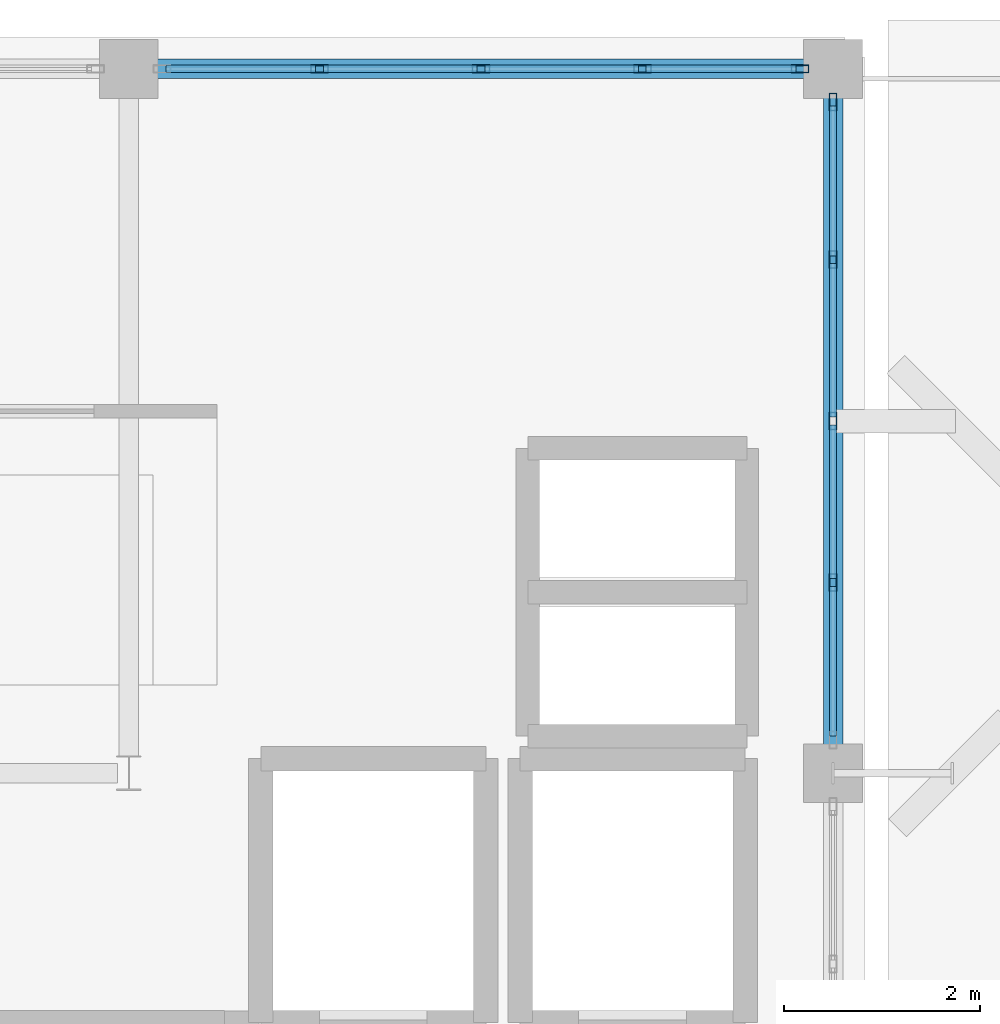
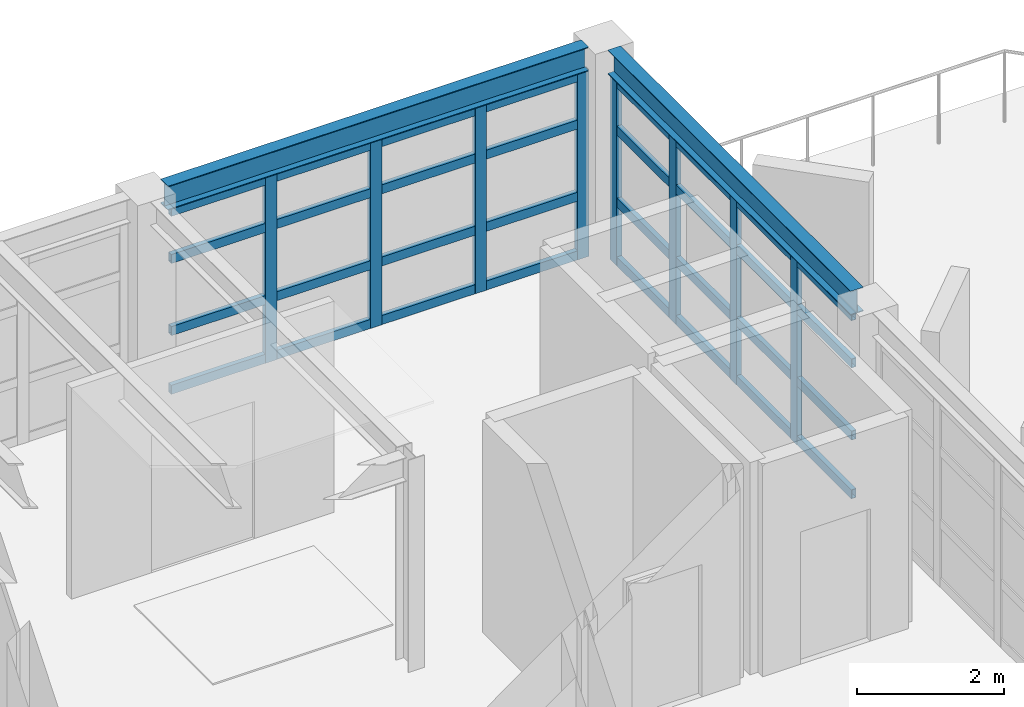
# One storey, part 6 of 13: 40 members, 2 beams, 2 elements without a shape of their own.
"""IFC4 building model written with IfcOpenShell, lengths in metres."""

from ifc_helpers import new_model, si_unit, direction, frame, origin, origin_2d, place, context, subcontext, project, spatial, hollow_rectangle, i_section, extrude, material, layer, layer_set, material_profile, profile_set, type_object, element, aggregate, save


model = new_model("IFC4")

# Units and contexts
model_context = context("Model", 3, precision=1e-05, world=origin(), true_north=direction((0.0, 1.0)))
body_context = subcontext(model_context, "Body", "Model", "MODEL_VIEW")
ifc_project = project(units=[si_unit("LENGTHUNIT", "METRE"), si_unit("AREAUNIT", "SQUARE_METRE"), si_unit("VOLUMEUNIT", "CUBIC_METRE"), si_unit("PLANEANGLEUNIT", "RADIAN"), si_unit("MASSUNIT", "GRAM", prefix="KILO")], contexts=[model_context])

# Site, building, storey
site_placement = place(None, origin())
site = spatial("IfcSite", under=ifc_project, at=site_placement, CompositionType="ELEMENT")
building_placement = place(site_placement, origin())
building = spatial("IfcBuilding", under=site, at=building_placement, Name="Kandorven Conservatory and Botanical Research Centre", CompositionType="ELEMENT")
storey_placement = place(building_placement, frame((0.0, 0.0, 59.39990234375)))
storey = spatial("IfcBuildingStorey", under=building, at=storey_placement, Name="L15", CompositionType="ELEMENT", Elevation=59.39990234375)

# Beams
ifc_material_1 = material(Name="Steel S355 (IS 2062 E350)", Category="steel")
ifc_material_profile_1 = material_profile(ifc_material_1, i_section(OverallWidth=0.199951171875, OverallDepth=0.39990234375, WebThickness=0.008544921875, FlangeThickness=0.012939453125, at=origin_2d()))
ifc_profile_set_1 = profile_set([ifc_material_profile_1], Name="Steel S355 (IS 2062 E350)")
beam_type = type_object("IfcBeamType", Name="Beam_FG-03", PredefinedType="USERDEFINED", material=ifc_profile_set_1)
for number, where, z_axis, x_axis, name in (
    (1, (20.68994140625, 27.60009765625, 3.330078125), (1.0, 0.0, 0.0), (0.0, 1.0, 0.0), "Primary girder FG-03 TWR L15"),
    (2, (27.60009765625, 20.68994140625, 3.330078125), (0.0, 1.0, 0.0), (-1.0, 0.0, 0.0), "Primary girder FG-03 TWR L15"),
):
    element("IfcBeam", number, at=place(storey_placement, frame(where, z_axis=z_axis, x_axis=x_axis)), inside=storey, type_object=beam_type, Name=name, ObjectType="GIRDER", PredefinedType="USERDEFINED", context=body_context, shape_type="SweptSolid", body=[
        extrude(i_section(OverallWidth=0.199951171875, OverallDepth=0.39990234375, WebThickness=0.008544921875, FlangeThickness=0.012939453125, at=origin_2d()), origin(), (0.0, 0.0, 1.0), 6.6201171875),
    ])

# Curtain wall, members
ifc_material_2 = material(Name="Bronze anodised thermally broken aluminium", Category="aluminium")
ifc_layer = layer(ifc_material_2, 0.179931640625)
ifc_layer_set = layer_set([ifc_layer], Name="Bronze anodised thermally broken aluminium")
curtain_wall_type = type_object("IfcCurtainWallType", Name="CW_Unitised", PredefinedType="USERDEFINED", material=ifc_layer_set)
curtain_wall_1_placement = place(storey_placement, origin())
curtain_wall_1 = element("IfcCurtainWall", 3, at=curtain_wall_1_placement, inside=storey, type_object=curtain_wall_type, Name="Tower laboratory curtain wall CW-TWR-N-L15-3", ObjectType="UNITISED GLAZING", PredefinedType="USERDEFINED")
ifc_material_3 = material(Name="Bronze anodised thermally broken aluminium", Category="aluminium")
ifc_material_profile_2 = material_profile(ifc_material_3, hollow_rectangle(XDim=0.080078125, YDim=0.179931640625, WallThickness=0.006103515625, at=origin_2d()))
ifc_profile_set_2 = profile_set([ifc_material_profile_2], Name="Bronze anodised thermally broken aluminium")
member_type_1 = type_object("IfcMemberType", Name="CW_Mullion", PredefinedType="MULLION", material=ifc_profile_set_2)
member_1_placement = place(storey_placement, frame((22.35009765625, 27.60009765625, 0.0), z_axis=(0.0, 0.0, 1.0), x_axis=(0.0, 1.0, 0.0)))
member_1 = element("IfcMember", 4, at=member_1_placement, type_object=member_type_1, Name="CW-01 mullion 2", PredefinedType="MULLION", context=body_context, shape_type="SweptSolid", body=[
    extrude(hollow_rectangle(XDim=0.080078125, YDim=0.179931640625, WallThickness=0.006103515625, at=origin_2d()), origin(), (0.0, 0.0, 1.0), 3.110107421875),
])
member_2_placement = place(storey_placement, frame((24.0, 27.60009765625, 0.0), z_axis=(0.0, 0.0, 1.0), x_axis=(0.0, 1.0, 0.0)))
member_2 = element("IfcMember", 5, at=member_2_placement, type_object=member_type_1, Name="CW-01 mullion 3", PredefinedType="MULLION", context=body_context, shape_type="SweptSolid", body=[
    extrude(hollow_rectangle(XDim=0.080078125, YDim=0.179931640625, WallThickness=0.006103515625, at=origin_2d()), origin(), (0.0, 0.0, 1.0), 3.110107421875),
])
member_3_placement = place(storey_placement, frame((25.64990234375, 27.60009765625, 0.0), z_axis=(0.0, 0.0, 1.0), x_axis=(0.0, 1.0, 0.0)))
member_3 = element("IfcMember", 6, at=member_3_placement, type_object=member_type_1, Name="CW-01 mullion 4", PredefinedType="MULLION", context=body_context, shape_type="SweptSolid", body=[
    extrude(hollow_rectangle(XDim=0.080078125, YDim=0.179931640625, WallThickness=0.006103515625, at=origin_2d()), origin(), (0.0, 0.0, 1.0), 3.110107421875),
])
member_4_placement = place(storey_placement, frame((27.260009765625, 27.60009765625, 0.0), z_axis=(0.0, 0.0, 1.0), x_axis=(0.0, 1.0, 0.0)))
member_4 = element("IfcMember", 7, at=member_4_placement, type_object=member_type_1, Name="CW-01 mullion 5", PredefinedType="MULLION", context=body_context, shape_type="SweptSolid", body=[
    extrude(hollow_rectangle(XDim=0.080078125, YDim=0.179931640625, WallThickness=0.006103515625, at=origin_2d()), origin(), (0.0, 0.0, 1.0), 3.110107421875),
])

curtain_wall_2_placement = place(storey_placement, origin())
curtain_wall_2 = element("IfcCurtainWall", 8, at=curtain_wall_2_placement, inside=storey, type_object=curtain_wall_type, Name="Tower laboratory curtain wall CW-TWR-E-L15-3", ObjectType="UNITISED GLAZING", PredefinedType="USERDEFINED")
member_5_placement = place(storey_placement, frame((27.60009765625, 22.35009765625, 0.0), z_axis=(0.0, 0.0, 1.0), x_axis=(-1.0, 0.0, 0.0)))
member_5 = element("IfcMember", 9, at=member_5_placement, type_object=member_type_1, Name="CW-01 mullion 2", PredefinedType="MULLION", context=body_context, shape_type="SweptSolid", body=[
    extrude(hollow_rectangle(XDim=0.080078125, YDim=0.179931640625, WallThickness=0.006103515625, at=origin_2d()), origin(), (0.0, 0.0, 1.0), 3.110107421875),
])
member_6_placement = place(storey_placement, frame((27.60009765625, 24.0, 0.0), z_axis=(0.0, 0.0, 1.0), x_axis=(-1.0, 0.0, 0.0)))
member_6 = element("IfcMember", 10, at=member_6_placement, type_object=member_type_1, Name="CW-01 mullion 3", PredefinedType="MULLION", context=body_context, shape_type="SweptSolid", body=[
    extrude(hollow_rectangle(XDim=0.080078125, YDim=0.179931640625, WallThickness=0.006103515625, at=origin_2d()), origin(), (0.0, 0.0, 1.0), 3.110107421875),
])
member_7_placement = place(storey_placement, frame((27.60009765625, 25.64990234375, 0.0), z_axis=(0.0, 0.0, 1.0), x_axis=(-1.0, 0.0, 0.0)))
member_7 = element("IfcMember", 11, at=member_7_placement, type_object=member_type_1, Name="CW-01 mullion 4", PredefinedType="MULLION", context=body_context, shape_type="SweptSolid", body=[
    extrude(hollow_rectangle(XDim=0.080078125, YDim=0.179931640625, WallThickness=0.006103515625, at=origin_2d()), origin(), (0.0, 0.0, 1.0), 3.110107421875),
])
member_8_placement = place(storey_placement, frame((27.60009765625, 27.260009765625, 0.0), z_axis=(0.0, 0.0, 1.0), x_axis=(-1.0, 0.0, 0.0)))
member_8 = element("IfcMember", 12, at=member_8_placement, type_object=member_type_1, Name="CW-01 mullion 5", PredefinedType="MULLION", context=body_context, shape_type="SweptSolid", body=[
    extrude(hollow_rectangle(XDim=0.080078125, YDim=0.179931640625, WallThickness=0.006103515625, at=origin_2d()), origin(), (0.0, 0.0, 1.0), 3.110107421875),
])

# Member
ifc_material_4 = material(Name="Bronze anodised thermally broken aluminium", Category="aluminium")
ifc_material_profile_3 = material_profile(ifc_material_4, hollow_rectangle(XDim=0.074951171875, YDim=0.14990234375, WallThickness=0.006103515625, at=origin_2d()))
ifc_profile_set_3 = profile_set([ifc_material_profile_3], Name="Bronze anodised thermally broken aluminium")
member_type_2 = type_object("IfcMemberType", Name="CW_Transom", PredefinedType="USERDEFINED", material=ifc_profile_set_3)
member_9_placement = place(storey_placement, frame((20.780029296875, 27.60009765625, 0.0751953125), z_axis=(1.0, 0.0, 0.0), x_axis=(0.0, 1.0, 0.0)))
member_9 = element("IfcMember", 13, at=member_9_placement, type_object=member_type_2, Name="CW-01 transom 1.1", ObjectType="TRANSOM", PredefinedType="USERDEFINED", context=body_context, shape_type="SweptSolid", body=[
    extrude(hollow_rectangle(XDim=0.074951171875, YDim=0.14990234375, WallThickness=0.006103515625, at=origin_2d()), origin(), (0.0, 0.0, 1.0), 1.530029296875),
])

member_10_placement = place(storey_placement, frame((20.780029296875, 27.60009765625, 1.050048828125), z_axis=(1.0, 0.0, 0.0), x_axis=(0.0, 1.0, 0.0)))
member_10 = element("IfcMember", 14, at=member_10_placement, type_object=member_type_2, Name="CW-01 transom 1.2", ObjectType="TRANSOM", PredefinedType="USERDEFINED", context=body_context, shape_type="SweptSolid", body=[
    extrude(hollow_rectangle(XDim=0.074951171875, YDim=0.14990234375, WallThickness=0.006103515625, at=origin_2d()), origin(), (0.0, 0.0, 1.0), 1.530029296875),
])

member_11_placement = place(storey_placement, frame((20.780029296875, 27.60009765625, 2.25), z_axis=(1.0, 0.0, 0.0), x_axis=(0.0, 1.0, 0.0)))
member_11 = element("IfcMember", 15, at=member_11_placement, type_object=member_type_2, Name="CW-01 transom 1.3", ObjectType="TRANSOM", PredefinedType="USERDEFINED", context=body_context, shape_type="SweptSolid", body=[
    extrude(hollow_rectangle(XDim=0.074951171875, YDim=0.14990234375, WallThickness=0.006103515625, at=origin_2d()), origin(), (0.0, 0.0, 1.0), 1.530029296875),
])

member_12_placement = place(storey_placement, frame((20.780029296875, 27.60009765625, 3.03515625), z_axis=(1.0, 0.0, 0.0), x_axis=(0.0, 1.0, 0.0)))
member_12 = element("IfcMember", 16, at=member_12_placement, type_object=member_type_2, Name="CW-01 transom 1.4", ObjectType="TRANSOM", PredefinedType="USERDEFINED", context=body_context, shape_type="SweptSolid", body=[
    extrude(hollow_rectangle(XDim=0.074951171875, YDim=0.14990234375, WallThickness=0.006103515625, at=origin_2d()), origin(), (0.0, 0.0, 1.0), 1.530029296875),
])

member_13_placement = place(storey_placement, frame((22.389892578125, 27.60009765625, 0.0751953125), z_axis=(1.0, 0.0, 0.0), x_axis=(0.0, 1.0, 0.0)))
member_13 = element("IfcMember", 17, at=member_13_placement, type_object=member_type_2, Name="CW-01 transom 2.1", ObjectType="TRANSOM", PredefinedType="USERDEFINED", context=body_context, shape_type="SweptSolid", body=[
    extrude(hollow_rectangle(XDim=0.074951171875, YDim=0.14990234375, WallThickness=0.006103515625, at=origin_2d()), origin(), (0.0, 0.0, 1.0), 1.570068359375),
])

member_14_placement = place(storey_placement, frame((22.389892578125, 27.60009765625, 1.050048828125), z_axis=(1.0, 0.0, 0.0), x_axis=(0.0, 1.0, 0.0)))
member_14 = element("IfcMember", 18, at=member_14_placement, type_object=member_type_2, Name="CW-01 transom 2.2", ObjectType="TRANSOM", PredefinedType="USERDEFINED", context=body_context, shape_type="SweptSolid", body=[
    extrude(hollow_rectangle(XDim=0.074951171875, YDim=0.14990234375, WallThickness=0.006103515625, at=origin_2d()), origin(), (0.0, 0.0, 1.0), 1.570068359375),
])

member_15_placement = place(storey_placement, frame((22.389892578125, 27.60009765625, 2.25), z_axis=(1.0, 0.0, 0.0), x_axis=(0.0, 1.0, 0.0)))
member_15 = element("IfcMember", 19, at=member_15_placement, type_object=member_type_2, Name="CW-01 transom 2.3", ObjectType="TRANSOM", PredefinedType="USERDEFINED", context=body_context, shape_type="SweptSolid", body=[
    extrude(hollow_rectangle(XDim=0.074951171875, YDim=0.14990234375, WallThickness=0.006103515625, at=origin_2d()), origin(), (0.0, 0.0, 1.0), 1.570068359375),
])

member_16_placement = place(storey_placement, frame((22.389892578125, 27.60009765625, 3.03515625), z_axis=(1.0, 0.0, 0.0), x_axis=(0.0, 1.0, 0.0)))
member_16 = element("IfcMember", 20, at=member_16_placement, type_object=member_type_2, Name="CW-01 transom 2.4", ObjectType="TRANSOM", PredefinedType="USERDEFINED", context=body_context, shape_type="SweptSolid", body=[
    extrude(hollow_rectangle(XDim=0.074951171875, YDim=0.14990234375, WallThickness=0.006103515625, at=origin_2d()), origin(), (0.0, 0.0, 1.0), 1.570068359375),
])

member_17_placement = place(storey_placement, frame((24.0400390625, 27.60009765625, 0.0751953125), z_axis=(1.0, 0.0, 0.0), x_axis=(0.0, 1.0, 0.0)))
member_17 = element("IfcMember", 21, at=member_17_placement, type_object=member_type_2, Name="CW-01 transom 3.1", ObjectType="TRANSOM", PredefinedType="USERDEFINED", context=body_context, shape_type="SweptSolid", body=[
    extrude(hollow_rectangle(XDim=0.074951171875, YDim=0.14990234375, WallThickness=0.006103515625, at=origin_2d()), origin(), (0.0, 0.0, 1.0), 1.570068359375),
])

member_18_placement = place(storey_placement, frame((24.0400390625, 27.60009765625, 1.050048828125), z_axis=(1.0, 0.0, 0.0), x_axis=(0.0, 1.0, 0.0)))
member_18 = element("IfcMember", 22, at=member_18_placement, type_object=member_type_2, Name="CW-01 transom 3.2", ObjectType="TRANSOM", PredefinedType="USERDEFINED", context=body_context, shape_type="SweptSolid", body=[
    extrude(hollow_rectangle(XDim=0.074951171875, YDim=0.14990234375, WallThickness=0.006103515625, at=origin_2d()), origin(), (0.0, 0.0, 1.0), 1.570068359375),
])

member_19_placement = place(storey_placement, frame((24.0400390625, 27.60009765625, 2.25), z_axis=(1.0, 0.0, 0.0), x_axis=(0.0, 1.0, 0.0)))
member_19 = element("IfcMember", 23, at=member_19_placement, type_object=member_type_2, Name="CW-01 transom 3.3", ObjectType="TRANSOM", PredefinedType="USERDEFINED", context=body_context, shape_type="SweptSolid", body=[
    extrude(hollow_rectangle(XDim=0.074951171875, YDim=0.14990234375, WallThickness=0.006103515625, at=origin_2d()), origin(), (0.0, 0.0, 1.0), 1.570068359375),
])

member_20_placement = place(storey_placement, frame((24.0400390625, 27.60009765625, 3.03515625), z_axis=(1.0, 0.0, 0.0), x_axis=(0.0, 1.0, 0.0)))
member_20 = element("IfcMember", 24, at=member_20_placement, type_object=member_type_2, Name="CW-01 transom 3.4", ObjectType="TRANSOM", PredefinedType="USERDEFINED", context=body_context, shape_type="SweptSolid", body=[
    extrude(hollow_rectangle(XDim=0.074951171875, YDim=0.14990234375, WallThickness=0.006103515625, at=origin_2d()), origin(), (0.0, 0.0, 1.0), 1.570068359375),
])

member_21_placement = place(storey_placement, frame((25.68994140625, 27.60009765625, 0.0751953125), z_axis=(1.0, 0.0, 0.0), x_axis=(0.0, 1.0, 0.0)))
member_21 = element("IfcMember", 25, at=member_21_placement, type_object=member_type_2, Name="CW-01 transom 4.1", ObjectType="TRANSOM", PredefinedType="USERDEFINED", context=body_context, shape_type="SweptSolid", body=[
    extrude(hollow_rectangle(XDim=0.074951171875, YDim=0.14990234375, WallThickness=0.006103515625, at=origin_2d()), origin(), (0.0, 0.0, 1.0), 1.530029296875),
])

member_22_placement = place(storey_placement, frame((25.68994140625, 27.60009765625, 1.050048828125), z_axis=(1.0, 0.0, 0.0), x_axis=(0.0, 1.0, 0.0)))
member_22 = element("IfcMember", 26, at=member_22_placement, type_object=member_type_2, Name="CW-01 transom 4.2", ObjectType="TRANSOM", PredefinedType="USERDEFINED", context=body_context, shape_type="SweptSolid", body=[
    extrude(hollow_rectangle(XDim=0.074951171875, YDim=0.14990234375, WallThickness=0.006103515625, at=origin_2d()), origin(), (0.0, 0.0, 1.0), 1.530029296875),
])

member_23_placement = place(storey_placement, frame((25.68994140625, 27.60009765625, 2.25), z_axis=(1.0, 0.0, 0.0), x_axis=(0.0, 1.0, 0.0)))
member_23 = element("IfcMember", 27, at=member_23_placement, type_object=member_type_2, Name="CW-01 transom 4.3", ObjectType="TRANSOM", PredefinedType="USERDEFINED", context=body_context, shape_type="SweptSolid", body=[
    extrude(hollow_rectangle(XDim=0.074951171875, YDim=0.14990234375, WallThickness=0.006103515625, at=origin_2d()), origin(), (0.0, 0.0, 1.0), 1.530029296875),
])

member_24_placement = place(storey_placement, frame((25.68994140625, 27.60009765625, 3.03515625), z_axis=(1.0, 0.0, 0.0), x_axis=(0.0, 1.0, 0.0)))
member_24 = element("IfcMember", 28, at=member_24_placement, type_object=member_type_2, Name="CW-01 transom 4.4", ObjectType="TRANSOM", PredefinedType="USERDEFINED", context=body_context, shape_type="SweptSolid", body=[
    extrude(hollow_rectangle(XDim=0.074951171875, YDim=0.14990234375, WallThickness=0.006103515625, at=origin_2d()), origin(), (0.0, 0.0, 1.0), 1.530029296875),
])

aggregate(curtain_wall_1, [member_1, member_2, member_3, member_4, member_9, member_10, member_11, member_12, member_13, member_14, member_15, member_16, member_17, member_18, member_19, member_20, member_21, member_22, member_23, member_24])

member_25_placement = place(storey_placement, frame((27.60009765625, 20.780029296875, 0.0751953125), z_axis=(0.0, 1.0, 0.0), x_axis=(-1.0, 0.0, 0.0)))
member_25 = element("IfcMember", 29, at=member_25_placement, type_object=member_type_2, Name="CW-01 transom 1.1", ObjectType="TRANSOM", PredefinedType="USERDEFINED", context=body_context, shape_type="SweptSolid", body=[
    extrude(hollow_rectangle(XDim=0.074951171875, YDim=0.14990234375, WallThickness=0.006103515625, at=origin_2d()), origin(), (0.0, 0.0, 1.0), 1.530029296875),
])

member_26_placement = place(storey_placement, frame((27.60009765625, 20.780029296875, 1.050048828125), z_axis=(0.0, 1.0, 0.0), x_axis=(-1.0, 0.0, 0.0)))
member_26 = element("IfcMember", 30, at=member_26_placement, type_object=member_type_2, Name="CW-01 transom 1.2", ObjectType="TRANSOM", PredefinedType="USERDEFINED", context=body_context, shape_type="SweptSolid", body=[
    extrude(hollow_rectangle(XDim=0.074951171875, YDim=0.14990234375, WallThickness=0.006103515625, at=origin_2d()), origin(), (0.0, 0.0, 1.0), 1.530029296875),
])

member_27_placement = place(storey_placement, frame((27.60009765625, 20.780029296875, 2.25), z_axis=(0.0, 1.0, 0.0), x_axis=(-1.0, 0.0, 0.0)))
member_27 = element("IfcMember", 31, at=member_27_placement, type_object=member_type_2, Name="CW-01 transom 1.3", ObjectType="TRANSOM", PredefinedType="USERDEFINED", context=body_context, shape_type="SweptSolid", body=[
    extrude(hollow_rectangle(XDim=0.074951171875, YDim=0.14990234375, WallThickness=0.006103515625, at=origin_2d()), origin(), (0.0, 0.0, 1.0), 1.530029296875),
])

member_28_placement = place(storey_placement, frame((27.60009765625, 20.780029296875, 3.03515625), z_axis=(0.0, 1.0, 0.0), x_axis=(-1.0, 0.0, 0.0)))
member_28 = element("IfcMember", 32, at=member_28_placement, type_object=member_type_2, Name="CW-01 transom 1.4", ObjectType="TRANSOM", PredefinedType="USERDEFINED", context=body_context, shape_type="SweptSolid", body=[
    extrude(hollow_rectangle(XDim=0.074951171875, YDim=0.14990234375, WallThickness=0.006103515625, at=origin_2d()), origin(), (0.0, 0.0, 1.0), 1.530029296875),
])

member_29_placement = place(storey_placement, frame((27.60009765625, 22.389892578125, 0.0751953125), z_axis=(0.0, 1.0, 0.0), x_axis=(-1.0, 0.0, 0.0)))
member_29 = element("IfcMember", 33, at=member_29_placement, type_object=member_type_2, Name="CW-01 transom 2.1", ObjectType="TRANSOM", PredefinedType="USERDEFINED", context=body_context, shape_type="SweptSolid", body=[
    extrude(hollow_rectangle(XDim=0.074951171875, YDim=0.14990234375, WallThickness=0.006103515625, at=origin_2d()), origin(), (0.0, 0.0, 1.0), 1.570068359375),
])

member_30_placement = place(storey_placement, frame((27.60009765625, 22.389892578125, 1.050048828125), z_axis=(0.0, 1.0, 0.0), x_axis=(-1.0, 0.0, 0.0)))
member_30 = element("IfcMember", 34, at=member_30_placement, type_object=member_type_2, Name="CW-01 transom 2.2", ObjectType="TRANSOM", PredefinedType="USERDEFINED", context=body_context, shape_type="SweptSolid", body=[
    extrude(hollow_rectangle(XDim=0.074951171875, YDim=0.14990234375, WallThickness=0.006103515625, at=origin_2d()), origin(), (0.0, 0.0, 1.0), 1.570068359375),
])

member_31_placement = place(storey_placement, frame((27.60009765625, 22.389892578125, 2.25), z_axis=(0.0, 1.0, 0.0), x_axis=(-1.0, 0.0, 0.0)))
member_31 = element("IfcMember", 35, at=member_31_placement, type_object=member_type_2, Name="CW-01 transom 2.3", ObjectType="TRANSOM", PredefinedType="USERDEFINED", context=body_context, shape_type="SweptSolid", body=[
    extrude(hollow_rectangle(XDim=0.074951171875, YDim=0.14990234375, WallThickness=0.006103515625, at=origin_2d()), origin(), (0.0, 0.0, 1.0), 1.570068359375),
])

member_32_placement = place(storey_placement, frame((27.60009765625, 22.389892578125, 3.03515625), z_axis=(0.0, 1.0, 0.0), x_axis=(-1.0, 0.0, 0.0)))
member_32 = element("IfcMember", 36, at=member_32_placement, type_object=member_type_2, Name="CW-01 transom 2.4", ObjectType="TRANSOM", PredefinedType="USERDEFINED", context=body_context, shape_type="SweptSolid", body=[
    extrude(hollow_rectangle(XDim=0.074951171875, YDim=0.14990234375, WallThickness=0.006103515625, at=origin_2d()), origin(), (0.0, 0.0, 1.0), 1.570068359375),
])

member_33_placement = place(storey_placement, frame((27.60009765625, 24.0400390625, 0.0751953125), z_axis=(0.0, 1.0, 0.0), x_axis=(-1.0, 0.0, 0.0)))
member_33 = element("IfcMember", 37, at=member_33_placement, type_object=member_type_2, Name="CW-01 transom 3.1", ObjectType="TRANSOM", PredefinedType="USERDEFINED", context=body_context, shape_type="SweptSolid", body=[
    extrude(hollow_rectangle(XDim=0.074951171875, YDim=0.14990234375, WallThickness=0.006103515625, at=origin_2d()), origin(), (0.0, 0.0, 1.0), 1.570068359375),
])

member_34_placement = place(storey_placement, frame((27.60009765625, 24.0400390625, 1.050048828125), z_axis=(0.0, 1.0, 0.0), x_axis=(-1.0, 0.0, 0.0)))
member_34 = element("IfcMember", 38, at=member_34_placement, type_object=member_type_2, Name="CW-01 transom 3.2", ObjectType="TRANSOM", PredefinedType="USERDEFINED", context=body_context, shape_type="SweptSolid", body=[
    extrude(hollow_rectangle(XDim=0.074951171875, YDim=0.14990234375, WallThickness=0.006103515625, at=origin_2d()), origin(), (0.0, 0.0, 1.0), 1.570068359375),
])

member_35_placement = place(storey_placement, frame((27.60009765625, 24.0400390625, 2.25), z_axis=(0.0, 1.0, 0.0), x_axis=(-1.0, 0.0, 0.0)))
member_35 = element("IfcMember", 39, at=member_35_placement, type_object=member_type_2, Name="CW-01 transom 3.3", ObjectType="TRANSOM", PredefinedType="USERDEFINED", context=body_context, shape_type="SweptSolid", body=[
    extrude(hollow_rectangle(XDim=0.074951171875, YDim=0.14990234375, WallThickness=0.006103515625, at=origin_2d()), origin(), (0.0, 0.0, 1.0), 1.570068359375),
])

member_36_placement = place(storey_placement, frame((27.60009765625, 24.0400390625, 3.03515625), z_axis=(0.0, 1.0, 0.0), x_axis=(-1.0, 0.0, 0.0)))
member_36 = element("IfcMember", 40, at=member_36_placement, type_object=member_type_2, Name="CW-01 transom 3.4", ObjectType="TRANSOM", PredefinedType="USERDEFINED", context=body_context, shape_type="SweptSolid", body=[
    extrude(hollow_rectangle(XDim=0.074951171875, YDim=0.14990234375, WallThickness=0.006103515625, at=origin_2d()), origin(), (0.0, 0.0, 1.0), 1.570068359375),
])

member_37_placement = place(storey_placement, frame((27.60009765625, 25.68994140625, 0.0751953125), z_axis=(0.0, 1.0, 0.0), x_axis=(-1.0, 0.0, 0.0)))
member_37 = element("IfcMember", 41, at=member_37_placement, type_object=member_type_2, Name="CW-01 transom 4.1", ObjectType="TRANSOM", PredefinedType="USERDEFINED", context=body_context, shape_type="SweptSolid", body=[
    extrude(hollow_rectangle(XDim=0.074951171875, YDim=0.14990234375, WallThickness=0.006103515625, at=origin_2d()), origin(), (0.0, 0.0, 1.0), 1.530029296875),
])

member_38_placement = place(storey_placement, frame((27.60009765625, 25.68994140625, 1.050048828125), z_axis=(0.0, 1.0, 0.0), x_axis=(-1.0, 0.0, 0.0)))
member_38 = element("IfcMember", 42, at=member_38_placement, type_object=member_type_2, Name="CW-01 transom 4.2", ObjectType="TRANSOM", PredefinedType="USERDEFINED", context=body_context, shape_type="SweptSolid", body=[
    extrude(hollow_rectangle(XDim=0.074951171875, YDim=0.14990234375, WallThickness=0.006103515625, at=origin_2d()), origin(), (0.0, 0.0, 1.0), 1.530029296875),
])

member_39_placement = place(storey_placement, frame((27.60009765625, 25.68994140625, 2.25), z_axis=(0.0, 1.0, 0.0), x_axis=(-1.0, 0.0, 0.0)))
member_39 = element("IfcMember", 43, at=member_39_placement, type_object=member_type_2, Name="CW-01 transom 4.3", ObjectType="TRANSOM", PredefinedType="USERDEFINED", context=body_context, shape_type="SweptSolid", body=[
    extrude(hollow_rectangle(XDim=0.074951171875, YDim=0.14990234375, WallThickness=0.006103515625, at=origin_2d()), origin(), (0.0, 0.0, 1.0), 1.530029296875),
])

member_40_placement = place(storey_placement, frame((27.60009765625, 25.68994140625, 3.03515625), z_axis=(0.0, 1.0, 0.0), x_axis=(-1.0, 0.0, 0.0)))
member_40 = element("IfcMember", 44, at=member_40_placement, type_object=member_type_2, Name="CW-01 transom 4.4", ObjectType="TRANSOM", PredefinedType="USERDEFINED", context=body_context, shape_type="SweptSolid", body=[
    extrude(hollow_rectangle(XDim=0.074951171875, YDim=0.14990234375, WallThickness=0.006103515625, at=origin_2d()), origin(), (0.0, 0.0, 1.0), 1.530029296875),
])

aggregate(curtain_wall_2, [member_5, member_6, member_7, member_8, member_25, member_26, member_27, member_28, member_29, member_30, member_31, member_32, member_33, member_34, member_35, member_36, member_37, member_38, member_39, member_40])

save(model, "model.ifc")
